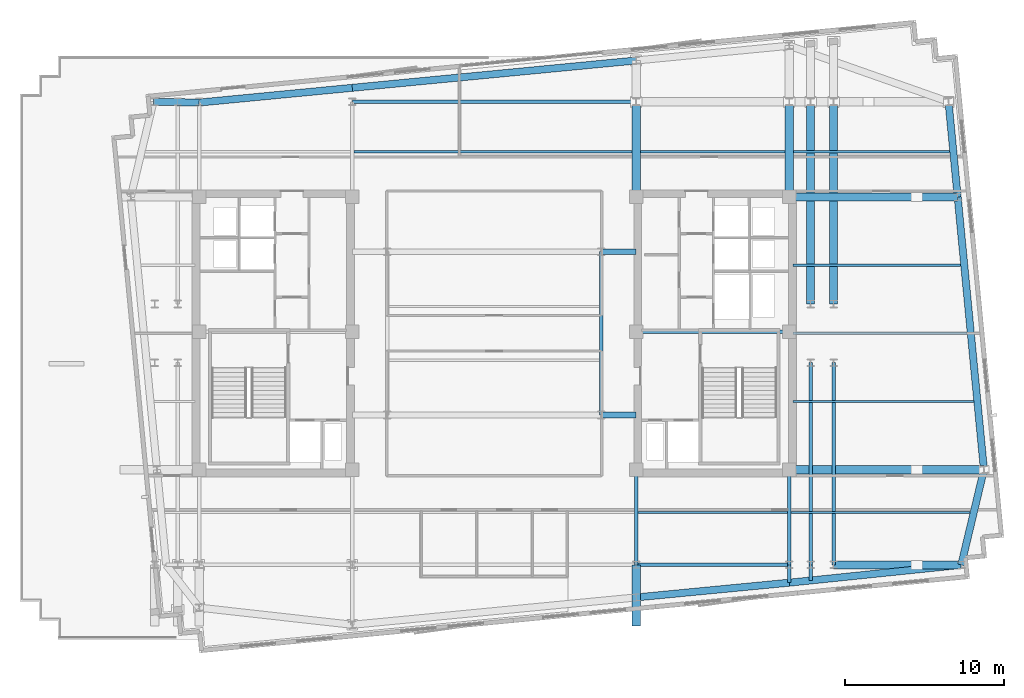
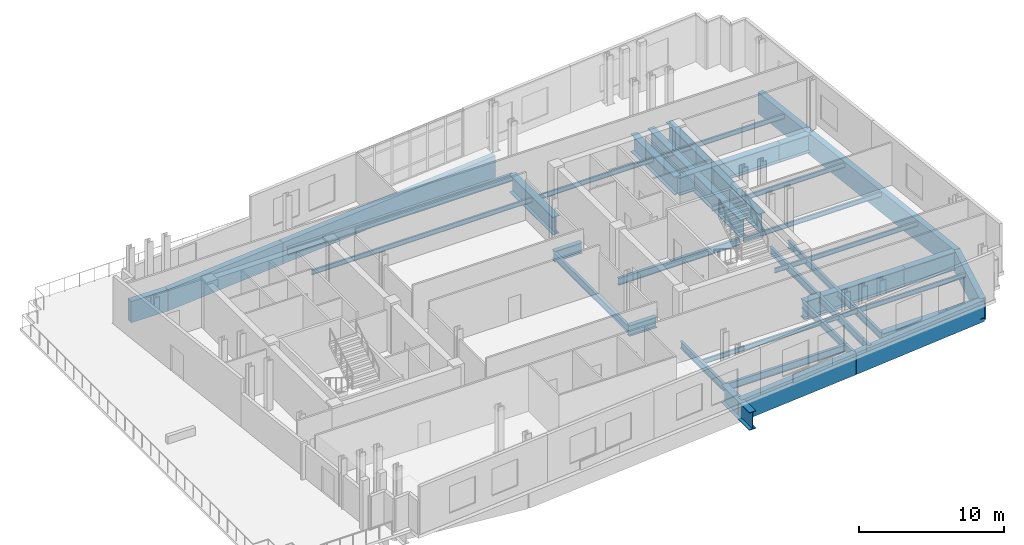
# One storey, part 2 of 11: 39 beams.
"""IFC4 building model written with IfcOpenShell, lengths in metres."""

from ifc_helpers import new_model, si_unit, direction, frame, origin, origin_2d, place, context, subcontext, project, spatial, rectangle, i_section, extrude, material, material_profile, profile_set, type_object, element, save


model = new_model("IFC4")

# Units and contexts
model_context = context("Model", 3, precision=1e-05, world=origin(), true_north=direction((0.0, 1.0)))
body_context = subcontext(model_context, "Body", "Model", "MODEL_VIEW")
ifc_project = project(units=[si_unit("LENGTHUNIT", "METRE"), si_unit("AREAUNIT", "SQUARE_METRE"), si_unit("VOLUMEUNIT", "CUBIC_METRE"), si_unit("PLANEANGLEUNIT", "RADIAN"), si_unit("MASSUNIT", "GRAM", prefix="KILO")], contexts=[model_context])

# Site, building, storey
site_placement = place(None, origin())
site = spatial("IfcSite", under=ifc_project, at=site_placement, CompositionType="ELEMENT")
building_placement = place(site_placement, origin())
building = spatial("IfcBuilding", under=site, at=building_placement, Name="Velakula Bourse", CompositionType="ELEMENT")
storey_placement = place(building_placement, frame((0.0, 0.0, 247.5)))
storey = spatial("IfcBuildingStorey", under=building, at=storey_placement, Name="L67", CompositionType="ELEMENT", Elevation=247.5)

# Beams
ifc_material_1 = material(Name="Steel IS 2062 Grade 350 (E350)", Category="steel")
ifc_material_profile_1 = material_profile(ifc_material_1, i_section(OverallWidth=0.2099609375, OverallDepth=0.60009765625, WebThickness=0.011962890625, FlangeThickness=0.020751953125, at=origin_2d()), Name="Steel IS 2062 Grade 350 (E350)")
ifc_profile_set_1 = profile_set([ifc_material_profile_1], Name="Steel IS 2062 Grade 350 (E350)")
beam_type_1 = type_object("IfcBeamType", Name="BM-GRD-600L", PredefinedType="BEAM", material=ifc_profile_set_1)
beam_1_placement = place(storey_placement, frame((8.949951171875, 0.10009765625, -0.580078125), z_axis=(1.0, 0.0, 0.0), x_axis=(0.0, 1.0, 0.0)))
element("IfcBeam", 1, at=beam_1_placement, inside=storey, type_object=beam_type_1, Name="L67 Primary Backbone Girder CRE-M", PredefinedType="BEAM", context=body_context, shape_type="SweptSolid", body=[
    extrude(i_section(OverallWidth=0.2099609375, OverallDepth=0.60009765625, WebThickness=0.011962890625, FlangeThickness=0.020751953125, at=origin_2d()), origin(), (0.0, 0.0, 1.0), 9.650146484375),
])
beam_2_placement = place(storey_placement, frame((6.75, -5.14990234375, -0.580078125), z_axis=(0.0, 1.0, 0.0), x_axis=(-1.0, 0.0, 0.0)))
element("IfcBeam", 2, at=beam_2_placement, inside=storey, type_object=beam_type_1, Name="L67 Primary Backbone Girder SPN-E", PredefinedType="BEAM", context=body_context, shape_type="SweptSolid", body=[
    extrude(i_section(OverallWidth=0.2099609375, OverallDepth=0.60009765625, WebThickness=0.011962890625, FlangeThickness=0.020751953125, at=origin_2d()), origin(), (0.0, 0.0, 1.0), 10.2998046875),
])
for number, where, z_axis, x_axis, name in (
    (3, (8.949951171875, -14.60009765625, -0.580078125), (0.0, 1.0, 0.0), (-1.0, 0.0, 0.0), "L67 Fulcrum Grid Girder FLC-ECS"),
    (4, (18.60009765625, -14.60009765625, -0.580078125), (0.0, 1.0, 0.0), (-1.0, 0.0, 0.0), "L67 Fulcrum Grid Girder FLC-ES"),
):
    element("IfcBeam", number, at=place(storey_placement, frame(where, z_axis=z_axis, x_axis=x_axis)), inside=storey, type_object=beam_type_1, Name=name, PredefinedType="BEAM", context=body_context, shape_type="SweptSolid", body=[
        extrude(i_section(OverallWidth=0.2099609375, OverallDepth=0.60009765625, WebThickness=0.011962890625, FlangeThickness=0.020751953125, at=origin_2d()), origin(), (0.0, 0.0, 1.0), 6.0),
    ])
beam_3_placement = place(storey_placement, frame((8.949951171875, -14.60009765625, -0.580078125), z_axis=(1.0, 0.0, 0.0), x_axis=(0.0, 1.0, 0.0)))
element("IfcBeam", 5, at=beam_3_placement, inside=storey, type_object=beam_type_1, Name="L67 Fulcrum Grid Girder FLC-S3", PredefinedType="BEAM", context=body_context, shape_type="SweptSolid", body=[
    extrude(i_section(OverallWidth=0.2099609375, OverallDepth=0.60009765625, WebThickness=0.011962890625, FlangeThickness=0.020751953125, at=origin_2d()), origin(), (0.0, 0.0, 1.0), 9.650146484375),
])
beam_4_placement = place(storey_placement, frame((-8.949951171875, 14.60009765625, -0.580078125), z_axis=(1.0, 0.0, 0.0), x_axis=(0.0, 1.0, 0.0)))
element("IfcBeam", 6, at=beam_4_placement, inside=storey, type_object=beam_type_1, Name="L67 Fulcrum Grid Girder FLC-N2", PredefinedType="BEAM", context=body_context, shape_type="SweptSolid", body=[
    extrude(i_section(OverallWidth=0.2099609375, OverallDepth=0.60009765625, WebThickness=0.011962890625, FlangeThickness=0.020751953125, at=origin_2d()), origin(), (0.0, 0.0, 1.0), 17.89990234375),
])
for number, where, z_axis, x_axis, name in (
    (7, (19.949951171875, -14.60009765625, -0.580078125), (0.0, 1.0, 0.0), (-1.0, 0.0, 0.0), "L67 Fulcrum Grid Girder FLC-PSE1"),
    (8, (21.39990234375, -14.60009765625, -0.580078125), (0.0, 1.0, 0.0), (-1.0, 0.0, 0.0), "L67 Fulcrum Grid Girder FLC-PSE2"),
):
    element("IfcBeam", number, at=place(storey_placement, frame(where, z_axis=z_axis, x_axis=x_axis)), inside=storey, type_object=beam_type_1, Name=name, PredefinedType="BEAM", context=body_context, shape_type="SweptSolid", body=[
        extrude(i_section(OverallWidth=0.2099609375, OverallDepth=0.60009765625, WebThickness=0.011962890625, FlangeThickness=0.020751953125, at=origin_2d()), origin(), (0.0, 0.0, 1.0), 12.75),
    ])
beam_5_placement = place(storey_placement, frame((18.60009765625, -14.60009765625, -0.580078125), z_axis=(0.0, -1.0, 0.0), x_axis=(1.0, 0.0, 0.0)))
element("IfcBeam", 9, at=beam_5_placement, inside=storey, type_object=beam_type_1, Name="L67 Perimeter Tie Girder S4", PredefinedType="BEAM", context=body_context, shape_type="SweptSolid", body=[
    extrude(i_section(OverallWidth=0.2099609375, OverallDepth=0.60009765625, WebThickness=0.011962890625, FlangeThickness=0.020751953125, at=origin_2d()), origin(), (0.0, 0.0, 1.0), 1.1220703125),
])
beam_6_placement = place(storey_placement, frame((19.949951171875, -14.60009765625, -0.580078125), z_axis=(0.0, -1.0, 0.0), x_axis=(1.0, 0.0, 0.0)))
element("IfcBeam", 10, at=beam_6_placement, inside=storey, type_object=beam_type_1, Name="L67 Perimeter Tie Girder P03", PredefinedType="BEAM", context=body_context, shape_type="SweptSolid", body=[
    extrude(i_section(OverallWidth=0.2099609375, OverallDepth=0.60009765625, WebThickness=0.011962890625, FlangeThickness=0.020751953125, at=origin_2d()), origin(), (0.0, 0.0, 1.0), 0.991943359375),
])
ifc_material_profile_2 = material_profile(ifc_material_1, i_section(OverallWidth=0.35009765625, OverallDepth=0.89990234375, WebThickness=0.02001953125, FlangeThickness=0.031982421875, at=origin_2d()), Name="Steel IS 2062 Grade 350 (E350)")
ifc_profile_set_2 = profile_set([ifc_material_profile_2], Name="Steel IS 2062 Grade 350 (E350)")
beam_type_2 = type_object("IfcBeamType", Name="BM-LNK-900", PredefinedType="BEAM", material=ifc_profile_set_2)
for number, where, z_axis, x_axis, name in (
    (11, (6.75, -5.14990234375, -0.72998046875), (1.0, 0.0, 0.0), (0.0, 1.0, 0.0), "L67 Primary Backbone Girder LNK-S3"),
    (12, (6.75, 5.14990234375, -0.72998046875), (1.0, 0.0, 0.0), (0.0, 1.0, 0.0), "L67 Primary Backbone Girder LNK-N3"),
):
    element("IfcBeam", number, at=place(storey_placement, frame(where, z_axis=z_axis, x_axis=x_axis)), inside=storey, type_object=beam_type_2, Name=name, PredefinedType="BEAM", context=body_context, shape_type="SweptSolid", body=[
        extrude(i_section(OverallWidth=0.35009765625, OverallDepth=0.89990234375, WebThickness=0.02001953125, FlangeThickness=0.031982421875, at=origin_2d()), origin(), (0.0, 0.0, 1.0), 2.199951171875),
    ])
ifc_material_profile_3 = material_profile(ifc_material_1, i_section(OverallWidth=0.139892578125, OverallDepth=0.39990234375, WebThickness=0.0087890625, FlangeThickness=0.01611328125, at=origin_2d()), Name="Steel IS 2062 Grade 350 (E350)")
ifc_profile_set_3 = profile_set([ifc_material_profile_3], Name="Steel IS 2062 Grade 350 (E350)")
beam_type_3 = type_object("IfcBeamType", Name="JST-TWR-400", PredefinedType="JOIST", material=ifc_profile_set_3)
beam_7_placement = place(storey_placement, frame((9.054931640625, -11.300048828125, -0.47998046875), z_axis=(1.0, 0.0, 0.0), x_axis=(0.0, 1.0, 0.0)))
element("IfcBeam", 13, at=beam_7_placement, inside=storey, type_object=beam_type_3, Name="L67 Trading Floor Composite Joist 06", PredefinedType="JOIST", context=body_context, shape_type="SweptSolid", body=[
    extrude(i_section(OverallWidth=0.139892578125, OverallDepth=0.39990234375, WebThickness=0.0087890625, FlangeThickness=0.01611328125, at=origin_2d()), origin(), (0.0, 0.0, 1.0), 9.440185546875),
])
beam_8_placement = place(storey_placement, frame((18.705078125, -11.300048828125, -0.47998046875), z_axis=(1.0, 0.0, 0.0), x_axis=(0.0, 1.0, 0.0)))
element("IfcBeam", 14, at=beam_8_placement, inside=storey, type_object=beam_type_3, Name="L67 Trading Floor Composite Joist 07", PredefinedType="JOIST", context=body_context, shape_type="SweptSolid", body=[
    extrude(i_section(OverallWidth=0.139892578125, OverallDepth=0.39990234375, WebThickness=0.0087890625, FlangeThickness=0.01611328125, at=origin_2d()), origin(), (0.0, 0.0, 1.0), 11.29833984375),
])
beam_9_placement = place(storey_placement, frame((-8.844970703125, 11.449951171875, -0.47998046875), z_axis=(1.0, 0.0, 0.0), x_axis=(0.0, 1.0, 0.0)))
element("IfcBeam", 15, at=beam_9_placement, inside=storey, type_object=beam_type_3, Name="L67 Trading Floor Composite Joist 10", PredefinedType="JOIST", context=body_context, shape_type="SweptSolid", body=[
    extrude(i_section(OverallWidth=0.139892578125, OverallDepth=0.39990234375, WebThickness=0.0087890625, FlangeThickness=0.01611328125, at=origin_2d()), origin(), (0.0, 0.0, 1.0), 17.534912109375),
])
beam_10_placement = place(storey_placement, frame((9.2099609375, 11.449951171875, -0.47998046875), z_axis=(1.0, 0.0, 0.0), x_axis=(0.0, 1.0, 0.0)))
element("IfcBeam", 16, at=beam_10_placement, inside=storey, type_object=beam_type_3, Name="L67 Trading Floor Composite Joist 11", PredefinedType="JOIST", context=body_context, shape_type="SweptSolid", body=[
    extrude(i_section(OverallWidth=0.139892578125, OverallDepth=0.39990234375, WebThickness=0.0087890625, FlangeThickness=0.01611328125, at=origin_2d()), origin(), (0.0, 0.0, 1.0), 9.130126953125),
])
beam_11_placement = place(storey_placement, frame((18.860107421875, 11.449951171875, -0.47998046875), z_axis=(1.0, 0.0, 0.0), x_axis=(0.0, 1.0, 0.0)))
element("IfcBeam", 17, at=beam_11_placement, inside=storey, type_object=beam_type_3, Name="L67 Trading Floor Composite Joist 12", PredefinedType="JOIST", context=body_context, shape_type="SweptSolid", body=[
    extrude(i_section(OverallWidth=0.139892578125, OverallDepth=0.39990234375, WebThickness=0.0087890625, FlangeThickness=0.01611328125, at=origin_2d()), origin(), (0.0, 0.0, 1.0), 9.862060546875),
])
beam_12_placement = place(storey_placement, frame((18.85009765625, -4.300048828125, -0.47998046875), z_axis=(1.0, 0.0, 0.0), x_axis=(0.0, 1.0, 0.0)))
element("IfcBeam", 18, at=beam_12_placement, inside=storey, type_object=beam_type_3, Name="L67 Trading Floor Composite Joist 17", PredefinedType="JOIST", context=body_context, shape_type="SweptSolid", body=[
    extrude(i_section(OverallWidth=0.139892578125, OverallDepth=0.39990234375, WebThickness=0.0087890625, FlangeThickness=0.01611328125, at=origin_2d()), origin(), (0.0, 0.0, 1.0), 11.388671875),
])
beam_13_placement = place(storey_placement, frame((18.85009765625, 0.0, -0.47998046875), z_axis=(1.0, 0.0, 0.0), x_axis=(0.0, 1.0, 0.0)))
element("IfcBeam", 19, at=beam_13_placement, inside=storey, type_object=beam_type_3, Name="L67 Trading Floor Composite Joist 19", PredefinedType="JOIST", context=body_context, shape_type="SweptSolid", body=[
    extrude(i_section(OverallWidth=0.139892578125, OverallDepth=0.39990234375, WebThickness=0.0087890625, FlangeThickness=0.01611328125, at=origin_2d()), origin(), (0.0, 0.0, 1.0), 10.974609375),
])
beam_14_placement = place(storey_placement, frame((18.85009765625, 4.300048828125, -0.47998046875), z_axis=(1.0, 0.0, 0.0), x_axis=(0.0, 1.0, 0.0)))
element("IfcBeam", 20, at=beam_14_placement, inside=storey, type_object=beam_type_3, Name="L67 Trading Floor Composite Joist 21", PredefinedType="JOIST", context=body_context, shape_type="SweptSolid", body=[
    extrude(i_section(OverallWidth=0.139892578125, OverallDepth=0.39990234375, WebThickness=0.0087890625, FlangeThickness=0.01611328125, at=origin_2d()), origin(), (0.0, 0.0, 1.0), 10.560546875),
])
ifc_material_2 = material(Name="Concrete M50 (fck 50 MPa)", Category="concrete")
ifc_material_profile_4 = material_profile(ifc_material_2, rectangle(XDim=0.449951171875, YDim=1.800048828125, at=origin_2d()), Name="Concrete M50 (fck 50 MPa)")
ifc_profile_set_4 = profile_set([ifc_material_profile_4], Name="Concrete M50 (fck 50 MPa)")
beam_type_4 = type_object("IfcBeamType", Name="SPN-TRF-1800", PredefinedType="SPANDREL", material=ifc_profile_set_4)
for number, where, z_axis, x_axis, name in (
    (21, (8.949951171875, -16.6513671875, -1.179931640625), (0.99539623971, 0.095845323155, 0.0), (-0.095845323155, 0.99539623971, 0.0), "L67 Brick-Faced Precast Spandrel S3-S4"),
    (22, (-18.60009765625, 14.5517578125, -1.179931640625), (0.99539623971, 0.095845323155, 0.0), (-0.095845323155, 0.99539623971, 0.0), "L67 Brick-Faced Precast Spandrel N1-N2"),
):
    element("IfcBeam", number, at=place(storey_placement, frame(where, z_axis=z_axis, x_axis=x_axis)), inside=storey, type_object=beam_type_4, Name=name, PredefinedType="SPANDREL", context=body_context, shape_type="SweptSolid", body=[
        extrude(rectangle(XDim=0.449951171875, YDim=1.800048828125, at=origin_2d()), origin(), (0.0, 0.0, 1.0), 9.69482421875),
    ])
beam_15_placement = place(storey_placement, frame((-8.949951171875, 15.48095703125, -1.179931640625), z_axis=(0.995395836254, 0.095849513134, 0.0), x_axis=(-0.095849513134, 0.995395836254, 0.0)))
element("IfcBeam", 23, at=beam_15_placement, inside=storey, type_object=beam_type_4, Name="L67 Brick-Faced Precast Spandrel N2-N3", PredefinedType="SPANDREL", context=body_context, shape_type="SweptSolid", body=[
    extrude(rectangle(XDim=0.449951171875, YDim=1.800048828125, at=origin_2d()), origin(), (0.0, 0.0, 1.0), 17.982666015625),
])
beam_16_placement = place(storey_placement, frame((29.447265625, -14.60009765625, -1.179931640625), z_axis=(0.232091371601, 0.972693988482, 0.0), x_axis=(-0.972693988482, 0.232091371601, 0.0)))
element("IfcBeam", 24, at=beam_16_placement, inside=storey, type_object=beam_type_4, Name="L67 Brick-Faced Precast Spandrel E1-E2", PredefinedType="SPANDREL", context=body_context, shape_type="SweptSolid", body=[
    extrude(rectangle(XDim=0.449951171875, YDim=1.800048828125, at=origin_2d()), origin(), (0.0, 0.0, 1.0), 6.16845703125),
])
beam_17_placement = place(storey_placement, frame((30.87890625, -8.60009765625, -1.179931640625), z_axis=(-0.095849167925, 0.995395869495, 0.0), x_axis=(-0.995395869495, -0.095849167925, 0.0)))
element("IfcBeam", 25, at=beam_17_placement, inside=storey, type_object=beam_type_4, Name="L67 Brick-Faced Precast Spandrel E2-E3", PredefinedType="SPANDREL", context=body_context, shape_type="SweptSolid", body=[
    extrude(rectangle(XDim=0.449951171875, YDim=1.800048828125, at=origin_2d()), origin(), (0.0, 0.0, 1.0), 17.27978515625),
])
beam_18_placement = place(storey_placement, frame((29.22265625, 8.60009765625, -1.179931640625), z_axis=(-0.095829714309, 0.995397742541, 0.0), x_axis=(-0.995397742541, -0.095829714309, 0.0)))
element("IfcBeam", 26, at=beam_18_placement, inside=storey, type_object=beam_type_4, Name="L67 Brick-Faced Precast Spandrel E3-E4", PredefinedType="SPANDREL", context=body_context, shape_type="SweptSolid", body=[
    extrude(rectangle(XDim=0.449951171875, YDim=1.800048828125, at=origin_2d()), origin(), (0.0, 0.0, 1.0), 6.02783203125),
])
beam_19_placement = place(storey_placement, frame((18.60009765625, -15.72216796875, -1.179931640625), z_axis=(0.994692267912, 0.102894568159, 0.0), x_axis=(-0.102894568159, 0.994692267912, 0.0)))
element("IfcBeam", 27, at=beam_19_placement, inside=storey, type_object=beam_type_4, Name="L67 Brick-Faced Precast Spandrel S4-E1", PredefinedType="SPANDREL", context=body_context, shape_type="SweptSolid", body=[
    extrude(rectangle(XDim=0.449951171875, YDim=1.800048828125, at=origin_2d()), origin(), (0.0, 0.0, 1.0), 10.905029296875),
])
beam_20_placement = place(storey_placement, frame((-18.60009765625, 14.5517578125, -1.179931640625), z_axis=(-0.999859727013, 0.016748919285, 0.0), x_axis=(-0.016748919285, -0.999859727013, 0.0)))
element("IfcBeam", 28, at=beam_20_placement, inside=storey, type_object=beam_type_4, Name="L67 Brick-Faced Precast Spandrel N1-W4", PredefinedType="SPANDREL", context=body_context, shape_type="SweptSolid", body=[
    extrude(rectangle(XDim=0.449951171875, YDim=1.800048828125, at=origin_2d()), origin(), (0.0, 0.0, 1.0), 2.88623046875),
])
ifc_material_3 = material(Name="Steel IS 2062 Grade 450 (E450)", Category="steel")
ifc_material_profile_5 = material_profile(ifc_material_3, i_section(OverallWidth=0.52001953125, OverallDepth=1.5, WebThickness=0.030029296875, FlangeThickness=0.048095703125, at=origin_2d()), Name="Steel IS 2062 Grade 450 (E450)")
ifc_profile_set_5 = profile_set([ifc_material_profile_5], Name="Steel IS 2062 Grade 450 (E450)")
beam_type_5 = type_object("IfcBeamType", Name="TB-CANT-1500", PredefinedType="BEAM", material=ifc_profile_set_5)
beam_21_placement = place(storey_placement, frame((8.949951171875, -18.449951171875, -1.030029296875), z_axis=(0.0, 1.0, 0.0), x_axis=(-1.0, 0.0, 0.0)))
element("IfcBeam", 29, at=beam_21_placement, inside=storey, type_object=beam_type_5, Name="L67 Block B6 Transfer Girder S3", PredefinedType="BEAM", context=body_context, shape_type="SweptSolid", body=[
    extrude(i_section(OverallWidth=0.52001953125, OverallDepth=1.5, WebThickness=0.030029296875, FlangeThickness=0.048095703125, at=origin_2d()), origin(), (0.0, 0.0, 1.0), 3.849853515625),
])
for number, where, z_axis, x_axis, name in (
    (30, (8.949951171875, 8.60009765625, -1.030029296875), (0.0, 1.0, 0.0), (-1.0, 0.0, 0.0), "L67 Collinear Transfer Back-Span Girder N3"),
    (31, (18.60009765625, 8.60009765625, -1.030029296875), (0.0, 1.0, 0.0), (-1.0, 0.0, 0.0), "L67 Collinear Transfer Back-Span Girder N4"),
):
    element("IfcBeam", number, at=place(storey_placement, frame(where, z_axis=z_axis, x_axis=x_axis)), inside=storey, type_object=beam_type_5, Name=name, PredefinedType="BEAM", context=body_context, shape_type="SweptSolid", body=[
        extrude(i_section(OverallWidth=0.52001953125, OverallDepth=1.5, WebThickness=0.030029296875, FlangeThickness=0.048095703125, at=origin_2d()), origin(), (0.0, 0.0, 1.0), 6.0),
    ])
beam_22_placement = place(storey_placement, frame((21.39990234375, -14.60009765625, -1.030029296875), z_axis=(1.0, 0.0, 0.0), x_axis=(0.0, 1.0, 0.0)))
element("IfcBeam", 32, at=beam_22_placement, inside=storey, type_object=beam_type_5, Name="L67 Collinear Transfer Back-Span Girder E1", PredefinedType="BEAM", context=body_context, shape_type="SweptSolid", body=[
    extrude(i_section(OverallWidth=0.52001953125, OverallDepth=1.5, WebThickness=0.030029296875, FlangeThickness=0.048095703125, at=origin_2d()), origin(), (0.0, 0.0, 1.0), 5.25),
])
beam_23_placement = place(storey_placement, frame((26.64990234375, -14.60009765625, -1.030029296875), z_axis=(1.0, 0.0, 0.0), x_axis=(0.0, 1.0, 0.0)))
element("IfcBeam", 33, at=beam_23_placement, inside=storey, type_object=beam_type_5, Name="L67 Primary Cantilever Transfer Chord E1", PredefinedType="BEAM", context=body_context, shape_type="SweptSolid", body=[
    extrude(i_section(OverallWidth=0.52001953125, OverallDepth=1.5, WebThickness=0.030029296875, FlangeThickness=0.048095703125, at=origin_2d()), origin(), (0.0, 0.0, 1.0), 2.79736328125),
])
beam_24_placement = place(storey_placement, frame((18.60009765625, -8.60009765625, -1.030029296875), z_axis=(1.0, 0.0, 0.0), x_axis=(0.0, 1.0, 0.0)))
element("IfcBeam", 34, at=beam_24_placement, inside=storey, type_object=beam_type_5, Name="L67 Collinear Transfer Back-Span Girder E2", PredefinedType="BEAM", context=body_context, shape_type="SweptSolid", body=[
    extrude(i_section(OverallWidth=0.52001953125, OverallDepth=1.5, WebThickness=0.030029296875, FlangeThickness=0.048095703125, at=origin_2d()), origin(), (0.0, 0.0, 1.0), 8.0498046875),
])
beam_25_placement = place(storey_placement, frame((26.64990234375, -8.60009765625, -1.030029296875), z_axis=(1.0, 0.0, 0.0), x_axis=(0.0, 1.0, 0.0)))
element("IfcBeam", 35, at=beam_25_placement, inside=storey, type_object=beam_type_5, Name="L67 Primary Cantilever Transfer Chord E2", PredefinedType="BEAM", context=body_context, shape_type="SweptSolid", body=[
    extrude(i_section(OverallWidth=0.52001953125, OverallDepth=1.5, WebThickness=0.030029296875, FlangeThickness=0.048095703125, at=origin_2d()), origin(), (0.0, 0.0, 1.0), 4.22900390625),
])
beam_26_placement = place(storey_placement, frame((18.60009765625, 8.60009765625, -1.030029296875), z_axis=(1.0, 0.0, 0.0), x_axis=(0.0, 1.0, 0.0)))
element("IfcBeam", 36, at=beam_26_placement, inside=storey, type_object=beam_type_5, Name="L67 Collinear Transfer Back-Span Girder E3", PredefinedType="BEAM", context=body_context, shape_type="SweptSolid", body=[
    extrude(i_section(OverallWidth=0.52001953125, OverallDepth=1.5, WebThickness=0.030029296875, FlangeThickness=0.048095703125, at=origin_2d()), origin(), (0.0, 0.0, 1.0), 8.0498046875),
])
beam_27_placement = place(storey_placement, frame((26.64990234375, 8.60009765625, -1.030029296875), z_axis=(1.0, 0.0, 0.0), x_axis=(0.0, 1.0, 0.0)))
element("IfcBeam", 37, at=beam_27_placement, inside=storey, type_object=beam_type_5, Name="L67 Primary Cantilever Transfer Chord E3", PredefinedType="BEAM", context=body_context, shape_type="SweptSolid", body=[
    extrude(i_section(OverallWidth=0.52001953125, OverallDepth=1.5, WebThickness=0.030029296875, FlangeThickness=0.048095703125, at=origin_2d()), origin(), (0.0, 0.0, 1.0), 2.57275390625),
])
for number, where, z_axis, x_axis, name in (
    (38, (19.949951171875, 1.85009765625, -1.030029296875), (0.0, 1.0, 0.0), (-1.0, 0.0, 0.0), "L67 Collinear Transfer Back-Span Girder P07"),
    (39, (21.39990234375, 1.85009765625, -1.030029296875), (0.0, 1.0, 0.0), (-1.0, 0.0, 0.0), "L67 Collinear Transfer Back-Span Girder P08"),
):
    element("IfcBeam", number, at=place(storey_placement, frame(where, z_axis=z_axis, x_axis=x_axis)), inside=storey, type_object=beam_type_5, Name=name, PredefinedType="BEAM", context=body_context, shape_type="SweptSolid", body=[
        extrude(i_section(OverallWidth=0.52001953125, OverallDepth=1.5, WebThickness=0.030029296875, FlangeThickness=0.048095703125, at=origin_2d()), origin(), (0.0, 0.0, 1.0), 12.75),
    ])

save(model, "model.ifc")
